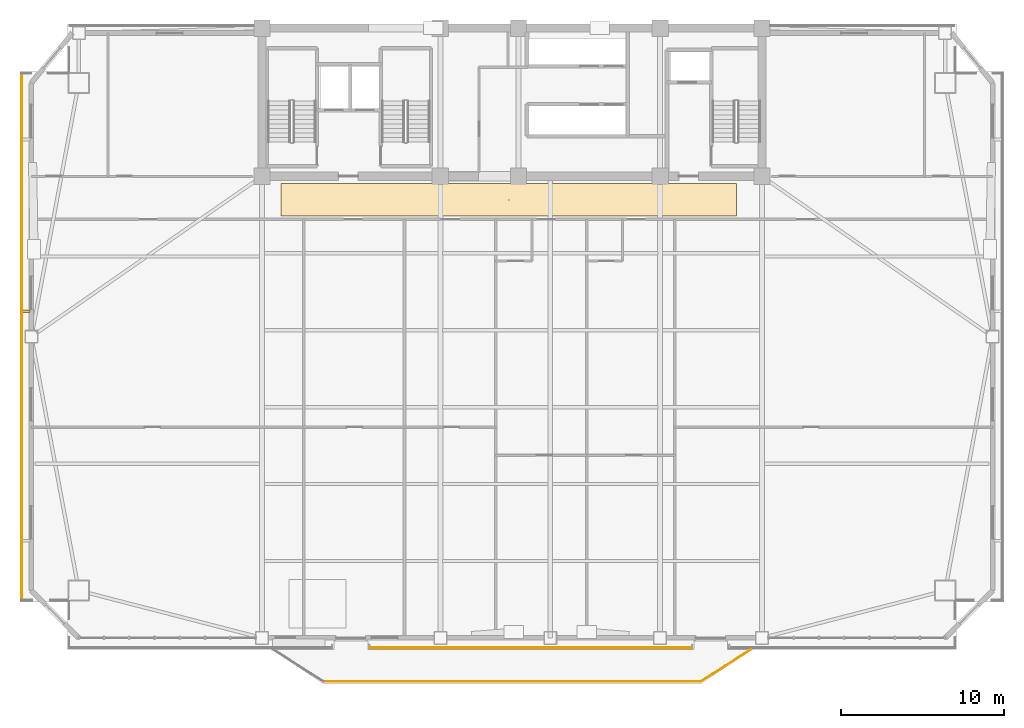
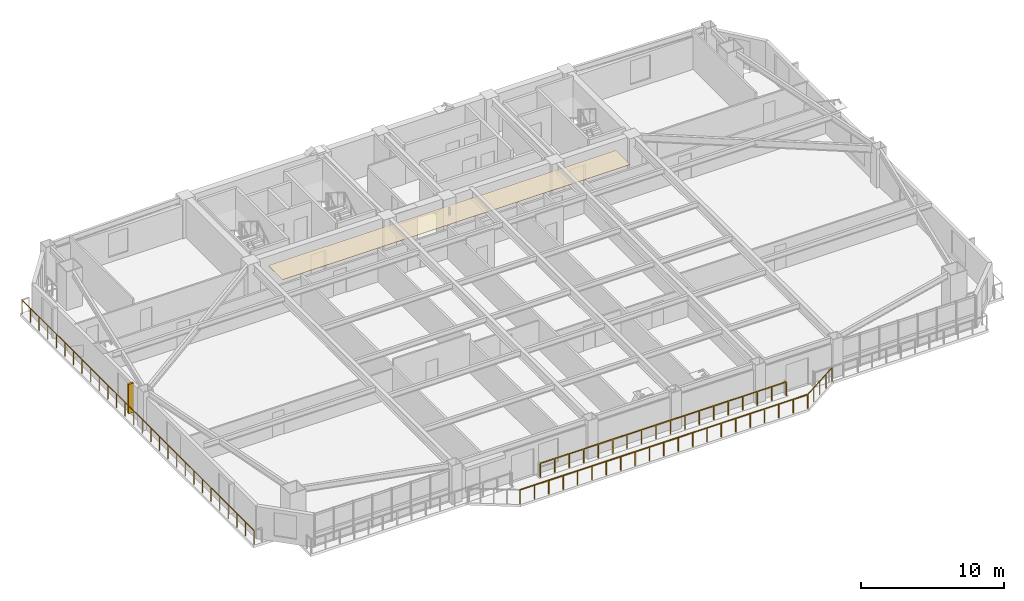
# One storey, part 13 of 16: 4 railings, 1 covering, 1 shading device.
"""IFC4 building model written with IfcOpenShell, lengths in metres."""

import ifcopenshell
import ifcopenshell.guid

model = None  # the IFC model being written
_history = None  # IfcOwnerHistory: only IFC2X3 demands one
_inside = {}  # id of a spatial element -> (the spatial element, [elements in it])
_under = {}  # id of a project, library or spatial element -> (it, [spatial elements below it])
_declared = {}  # id of a project -> (the project, [libraries it declares])
_typed = {}  # id of a type object -> (the type object, [elements of that type])
_made_of = {}  # id of a material, layer set ... -> (it, [elements and type objects made of it])


def new_model(schema):
    """Start an empty IFC model of exactly this schema.

    Asked for "IFC4X3", IfcOpenShell would pick the latest addendum, in which some entities
    have other attributes; the version numbers below select the first issue.
    IFC2X3 requires an IfcOwnerHistory on every rooted entity: one is made here for all.
    """
    global model, _history
    if schema == "IFC4X3":
        model = ifcopenshell.file(schema_version=(4, 3, 0, 0))
    else:
        model = ifcopenshell.file(schema=schema)
    _inside.clear()
    _under.clear()
    _declared.clear()
    _typed.clear()
    _made_of.clear()
    _history = None
    if model.schema == "IFC2X3":
        org = make("IfcOrganization", Name="unknown")
        user = make(
            "IfcPersonAndOrganization",
            ThePerson=make("IfcPerson", FamilyName="unknown"),
            TheOrganization=org,
        )
        app = make(
            "IfcApplication",
            ApplicationDeveloper=org,
            Version="unknown",
            ApplicationFullName="unknown",
            ApplicationIdentifier="unknown",
        )
        _history = make(
            "IfcOwnerHistory",
            OwningUser=user,
            OwningApplication=app,
            ChangeAction="ADDED",
            CreationDate=0,
        )
    return model


def make(cls, **values):
    """One entity of the class cls with the attributes given. An attribute that is None is left unset."""
    return model.create_entity(
        cls, **{name: value for name, value in values.items() if value is not None}
    )


def rooted(cls, **values):
    """An entity with a GlobalId (a new one), such as an element, a storey or a relation."""
    return make(cls, GlobalId=ifcopenshell.guid.new(), OwnerHistory=_history, **values)


def si_unit(unit_type, name, prefix=None):
    """IfcSIUnit, for example si_unit("LENGTHUNIT", "METRE", prefix="MILLI")."""
    return make("IfcSIUnit", UnitType=unit_type, Prefix=prefix, Name=name)


def assignment(units):
    """IfcUnitAssignment: the units of a project."""
    return None if units is None else make("IfcUnitAssignment", Units=units)


def point(xyz):
    """IfcCartesianPoint."""
    return None if xyz is None else make("IfcCartesianPoint", Coordinates=xyz)


def direction(xyz):
    """IfcDirection."""
    return None if xyz is None else make("IfcDirection", DirectionRatios=xyz)


def frame(location, z_axis=None, x_axis=None):
    """IfcAxis2Placement3D, a coordinate frame: its origin and axes. An axis left out is left unset."""
    return make(
        "IfcAxis2Placement3D",
        Location=point(location),
        Axis=direction(z_axis),
        RefDirection=direction(x_axis),
    )


def frame_2d(location, x_axis=None):
    """IfcAxis2Placement2D, a coordinate frame in the plane: its origin and x axis."""
    return make(
        "IfcAxis2Placement2D", Location=point(location), RefDirection=direction(x_axis)
    )


def origin():
    """The frame at (0, 0, 0) with its axes left unset."""
    return frame((0.0, 0.0, 0.0))


def origin_2d():
    """The frame at (0, 0) in the plane with its x axis left unset."""
    return frame_2d((0.0, 0.0))


def place(relative_to, where):
    """IfcLocalPlacement: puts the frame where relative to a parent placement (None: the world)."""
    return make(
        "IfcLocalPlacement", PlacementRelTo=relative_to, RelativePlacement=where
    )


def context(
    kind, dimensions, precision=None, world=None, true_north=None, identifier=None
):
    """IfcGeometricRepresentationContext, for example the 3D "Model" context."""
    return make(
        "IfcGeometricRepresentationContext",
        ContextIdentifier=identifier,
        ContextType=kind,
        CoordinateSpaceDimension=dimensions,
        Precision=precision,
        WorldCoordinateSystem=world,
        TrueNorth=true_north,
    )


def subcontext(parent, identifier, kind, view, scale=None):
    """IfcGeometricRepresentationSubContext, for example "Body" below "Model"."""
    return make(
        "IfcGeometricRepresentationSubContext",
        ContextIdentifier=identifier,
        ContextType=kind,
        ParentContext=parent,
        TargetScale=scale,
        TargetView=view,
    )


def project(units=None, contexts=None):
    """IfcProject with its units and contexts."""
    return rooted(
        "IfcProject",
        Name="project",
        RepresentationContexts=contexts,
        UnitsInContext=assignment(units),
    )


def spatial(cls, under=None, at=None, **own):
    """A site, building, storey or space (cls), placed at a placement, below another one or the project."""
    s = rooted(cls, ObjectPlacement=at, **own)
    if under is not None:
        _under.setdefault(under.id(), (under, []))[1].append(s)
    return s


def polyline(points):
    """IfcPolyline through the points."""
    return make("IfcPolyline", Points=[point(p) for p in points])


def profile(cls, at=None, kind="AREA", **sizes):
    """A parametric profile (cls). Its sizes go by their IFC names, for example OverallWidth=200.0."""
    return make(cls, ProfileType=kind, Position=at, **sizes)


def rectangle(**sizes):
    """IfcRectangleProfileDef."""
    return profile("IfcRectangleProfileDef", **sizes)


def outline(outer, holes=None, kind="AREA"):
    """IfcArbitraryClosedProfileDef: a profile drawn as a closed curve; with holes, ...WithVoids."""
    if holes is None:
        return make("IfcArbitraryClosedProfileDef", ProfileType=kind, OuterCurve=outer)
    return make(
        "IfcArbitraryProfileDefWithVoids",
        ProfileType=kind,
        OuterCurve=outer,
        InnerCurves=holes,
    )


def extrude(swept, where, along, depth):
    """IfcExtrudedAreaSolid: the profile swept, set in the frame where, extruded along a direction by depth."""
    return make(
        "IfcExtrudedAreaSolid",
        SweptArea=swept,
        Position=where,
        ExtrudedDirection=direction(along),
        Depth=depth,
    )


def shape(context_of_items, identifier, shape_type, items):
    """IfcShapeRepresentation: the items that make up one representation, for example the "Body"."""
    return make(
        "IfcShapeRepresentation",
        ContextOfItems=context_of_items,
        RepresentationIdentifier=identifier,
        RepresentationType=shape_type,
        Items=items,
    )


def source(mapping_origin, context_of_items, identifier, shape_type, items):
    """IfcRepresentationMap: a shape defined once, which mapped items show again and again."""
    return make(
        "IfcRepresentationMap",
        MappingOrigin=mapping_origin,
        MappedRepresentation=shape(context_of_items, identifier, shape_type, items),
    )


def transform(
    local_origin,
    x_axis=None,
    y_axis=None,
    z_axis=None,
    scale=None,
    scale2=None,
    scale3=None,
    uniform=True,
):
    """IfcCartesianTransformationOperator3D, or its non-uniform kind. x_axis, y_axis, z_axis: its Axis1, 2, 3."""
    if uniform:
        return make(
            "IfcCartesianTransformationOperator3D",
            Axis1=direction(x_axis),
            Axis2=direction(y_axis),
            LocalOrigin=point(local_origin),
            Scale=scale,
            Axis3=direction(z_axis),
        )
    return make(
        "IfcCartesianTransformationOperator3DnonUniform",
        Axis1=direction(x_axis),
        Axis2=direction(y_axis),
        LocalOrigin=point(local_origin),
        Scale=scale,
        Axis3=direction(z_axis),
        Scale2=scale2,
        Scale3=scale3,
    )


def mapped(mapping_source, mapping_target):
    """IfcMappedItem: shows the shape of a source again, moved by a transform."""
    return make(
        "IfcMappedItem", MappingSource=mapping_source, MappingTarget=mapping_target
    )


def material(Name=None, Category=None):
    """IfcMaterial."""
    return make("IfcMaterial", Name=Name, Category=Category)


def layer(
    of_material, thickness, ventilated=None, Name=None, Category=None, Priority=None
):
    """IfcMaterialLayer: one layer of a wall or slab, of a material (None: an air gap)."""
    return make(
        "IfcMaterialLayer",
        Material=of_material,
        LayerThickness=thickness,
        IsVentilated=ventilated,
        Name=Name,
        Category=Category,
        Priority=Priority,
    )


def layer_set(layers, Name=None):
    """IfcMaterialLayerSet."""
    return make("IfcMaterialLayerSet", MaterialLayers=layers, LayerSetName=Name)


def made_of(thing, what):
    """Note that an element or type object is made of a material, layer set ...; save() writes the relation."""
    if what is not None:
        _made_of.setdefault(what.id(), (what, []))[1].append(thing)
    return thing


def type_object(cls, material=None, **own):
    """A type object (cls), such as IfcWallType, which elements share."""
    return made_of(rooted(cls, **own), material)


def element(
    cls,
    number,
    at=None,
    inside=None,
    cuts=None,
    type_object=None,
    material=None,
    context=None,
    identifier="Body",
    shape_type=None,
    held_by="IfcProductDefinitionShape",
    body=None,
    shapes=None,
    **own,
):
    """One element of the class cls, such as IfcWall. Its Tag is "e" and its number.

    at: its placement. inside: the storey or other place that contains it. cuts: it is an
    opening in that element (IfcRelVoidsElement). A single representation is given by context,
    identifier, shape_type and body (its items); several are given by shapes. held_by: the class
    of the entity that holds the representations. save() writes the other relations.
    """
    e = rooted(cls, Tag="e%d" % number, ObjectPlacement=at, **own)
    if body is not None:
        shapes = [shape(context, identifier, shape_type, body)]
    if shapes is not None:
        e.Representation = make(held_by, Representations=shapes)
    if inside is not None:
        _inside.setdefault(inside.id(), (inside, []))[1].append(e)
    if cuts is not None:
        rooted(
            "IfcRelVoidsElement", RelatingBuildingElement=cuts, RelatedOpeningElement=e
        )
    if type_object is not None:
        _typed.setdefault(type_object.id(), (type_object, []))[1].append(e)
    return made_of(e, material)


def aggregate(whole, parts):
    """IfcRelAggregates: a whole, such as a stair, and the parts it consists of."""
    return rooted("IfcRelAggregates", RelatingObject=whole, RelatedObjects=parts)


def save(model, path):
    """Write the relations noted so far, then the file.

    IfcRelAggregates (storeys below a building ...), IfcRelContainedInSpatialStructure (elements
    in a storey), IfcRelDefinesByType, IfcRelAssociatesMaterial and IfcRelDeclares: one each for
    every whole, place, type object, material and project.
    """
    for whole, parts in _under.values():
        aggregate(whole, parts)
    for where, things in _inside.values():
        rooted(
            "IfcRelContainedInSpatialStructure",
            RelatedElements=things,
            RelatingStructure=where,
        )
    for kind, things in _typed.values():
        rooted("IfcRelDefinesByType", RelatedObjects=things, RelatingType=kind)
    for what, things in _made_of.values():
        rooted("IfcRelAssociatesMaterial", RelatedObjects=things, RelatingMaterial=what)
    for by, libraries in _declared.values():
        rooted("IfcRelDeclares", RelatingContext=by, RelatedDefinitions=libraries)
    model.write(path)


model = new_model("IFC4")

# Units and contexts
model_context = context("Model", 3, precision=1e-05, world=origin(), true_north=direction((0.0, 1.0)))
body_context = subcontext(model_context, "Body", "Model", "MODEL_VIEW")
ifc_project = project(units=[si_unit("LENGTHUNIT", "METRE"), si_unit("AREAUNIT", "SQUARE_METRE"), si_unit("VOLUMEUNIT", "CUBIC_METRE"), si_unit("PLANEANGLEUNIT", "RADIAN"), si_unit("MASSUNIT", "GRAM", prefix="KILO")], contexts=[model_context])

# Site, building, storey
site_placement = place(None, origin())
site = spatial("IfcSite", under=ifc_project, at=site_placement, CompositionType="ELEMENT")
building_placement = place(site_placement, origin())
building = spatial("IfcBuilding", under=site, at=building_placement, Name="Giltprow Tower", CompositionType="ELEMENT")
storey_placement = place(building_placement, frame((0.0, 0.0, 163.199951171875)))
storey = spatial("IfcBuildingStorey", under=building, at=storey_placement, Name="L40", CompositionType="ELEMENT", Elevation=163.199951171875)

# Covering
ifc_material_1 = material(Name="Painted gypsum board", Category="gypsum")
ifc_layer = layer(ifc_material_1, 0.030029296875, Name="Painted gypsum board")
ifc_layer_set = layer_set([ifc_layer], Name="Painted gypsum board")
covering_type = type_object("IfcCoveringType", Name="COV-CLG-GYPSUM", PredefinedType="CEILING", material=ifc_layer_set)
covering_placement = place(storey_placement, frame((0.0, 0.0, 2.6201171875)))
element("IfcCovering", 1, at=covering_placement, inside=storey, type_object=covering_type, Name="L40 Hotel Corridor Gypsum Ceiling", PredefinedType="CEILING", context=body_context, shape_type="SweptSolid", body=[
    extrude(outline(polyline([(21.0, 35.0), (49.0, 35.0), (49.0, 37.0), (21.0, 37.0), (21.0, 35.0)])), origin(), (0.0, 0.0, 1.0), 0.030029296875),
])

# Railings
ifc_material_2 = material(Name="Anodized bronze", Category="metal")
railing_type = type_object("IfcRailingType", Name="RAIL-BALC-GUARD-1200", PredefinedType="BALUSTRADE", material=ifc_material_2)
railing_1_placement = place(storey_placement, frame((23.6201171875, 6.41796875, 0.0)))
element("IfcRailing", 2, at=railing_1_placement, inside=storey, type_object=railing_type, Name="L40 Waterfront Balcony Balustrade Seg 2", PredefinedType="BALUSTRADE", context=body_context, shape_type="SweptSolid", body=[
    extrude(rectangle(XDim=0.048095703125, YDim=0.048095703125, at=origin_2d()), frame((0.0, 0.0, 1.17578125), z_axis=(1.0, 0.0, 0.0), x_axis=(0.0, 1.0, 0.0)), (0.0, 0.0, 1.0), 23.159912109375),
    extrude(rectangle(XDim=0.0419921875, YDim=0.0419921875, at=origin_2d()), origin(), (0.0, 0.0, 1.0), 1.15185546875),
    extrude(rectangle(XDim=0.0419921875, YDim=0.0419921875, at=origin_2d()), frame((1.157958984375, 0.0, 0.0)), (0.0, 0.0, 1.0), 1.15185546875),
    extrude(rectangle(XDim=0.0419921875, YDim=0.0419921875, at=origin_2d()), frame((2.31591796875, 0.0, 0.0)), (0.0, 0.0, 1.0), 1.15185546875),
    extrude(rectangle(XDim=0.0419921875, YDim=0.0419921875, at=origin_2d()), frame((3.473876953125, 0.0, 0.0)), (0.0, 0.0, 1.0), 1.15185546875),
    extrude(rectangle(XDim=0.0419921875, YDim=0.0419921875, at=origin_2d()), frame((4.632080078125, 0.0, 0.0)), (0.0, 0.0, 1.0), 1.15185546875),
    extrude(rectangle(XDim=0.0419921875, YDim=0.0419921875, at=origin_2d()), frame((5.7900390625, 0.0, 0.0)), (0.0, 0.0, 1.0), 1.15185546875),
    extrude(rectangle(XDim=0.0419921875, YDim=0.0419921875, at=origin_2d()), frame((6.947998046875, 0.0, 0.0)), (0.0, 0.0, 1.0), 1.15185546875),
    extrude(rectangle(XDim=0.0419921875, YDim=0.0419921875, at=origin_2d()), frame((8.10595703125, 0.0, 0.0)), (0.0, 0.0, 1.0), 1.15185546875),
    extrude(rectangle(XDim=0.0419921875, YDim=0.0419921875, at=origin_2d()), frame((9.263916015625, 0.0, 0.0)), (0.0, 0.0, 1.0), 1.15185546875),
    extrude(rectangle(XDim=0.0419921875, YDim=0.0419921875, at=origin_2d()), frame((10.421875, 0.0, 0.0)), (0.0, 0.0, 1.0), 1.15185546875),
    extrude(rectangle(XDim=0.0419921875, YDim=0.0419921875, at=origin_2d()), frame((11.580078125, 0.0, 0.0)), (0.0, 0.0, 1.0), 1.15185546875),
    extrude(rectangle(XDim=0.0419921875, YDim=0.0419921875, at=origin_2d()), frame((12.738037109375, 0.0, 0.0)), (0.0, 0.0, 1.0), 1.15185546875),
    extrude(rectangle(XDim=0.0419921875, YDim=0.0419921875, at=origin_2d()), frame((13.89599609375, 0.0, 0.0)), (0.0, 0.0, 1.0), 1.15185546875),
    extrude(rectangle(XDim=0.0419921875, YDim=0.0419921875, at=origin_2d()), frame((15.053955078125, 0.0, 0.0)), (0.0, 0.0, 1.0), 1.15185546875),
    extrude(rectangle(XDim=0.0419921875, YDim=0.0419921875, at=origin_2d()), frame((16.2119140625, 0.0, 0.0)), (0.0, 0.0, 1.0), 1.15185546875),
    extrude(rectangle(XDim=0.0419921875, YDim=0.0419921875, at=origin_2d()), frame((17.369873046875, 0.0, 0.0)), (0.0, 0.0, 1.0), 1.15185546875),
    extrude(rectangle(XDim=0.0419921875, YDim=0.0419921875, at=origin_2d()), frame((18.52783203125, 0.0, 0.0)), (0.0, 0.0, 1.0), 1.15185546875),
    extrude(rectangle(XDim=0.0419921875, YDim=0.0419921875, at=origin_2d()), frame((19.68603515625, 0.0, 0.0)), (0.0, 0.0, 1.0), 1.15185546875),
    extrude(rectangle(XDim=0.0419921875, YDim=0.0419921875, at=origin_2d()), frame((20.843994140625, 0.0, 0.0)), (0.0, 0.0, 1.0), 1.15185546875),
    extrude(rectangle(XDim=0.0419921875, YDim=0.0419921875, at=origin_2d()), frame((22.001953125, 0.0, 0.0)), (0.0, 0.0, 1.0), 1.15185546875),
    extrude(rectangle(XDim=0.0419921875, YDim=0.0419921875, at=origin_2d()), frame((23.159912109375, 0.0, 0.0)), (0.0, 0.0, 1.0), 1.15185546875),
])
railing_2_placement = place(storey_placement, frame((46.780029296875, 6.41796875, 0.0)))
element("IfcRailing", 3, at=railing_2_placement, inside=storey, type_object=railing_type, Name="L40 Waterfront Balcony Balustrade Seg 3", PredefinedType="BALUSTRADE", context=body_context, shape_type="SweptSolid", body=[
    extrude(rectangle(XDim=0.048095703125, YDim=0.048095703125, at=origin_2d()), frame((0.0, 0.0, 1.17578125), z_axis=(0.842755646126, 0.538296313309, 0.0), x_axis=(-0.538296313309, 0.842755646126, 0.0)), (0.0, 0.0, 1.0), 3.67822265625),
    extrude(rectangle(XDim=0.0419921875, YDim=0.0419921875, at=origin_2d()), origin(), (0.0, 0.0, 1.0), 1.15185546875),
    extrude(rectangle(XDim=0.0419921875, YDim=0.0419921875, at=origin_2d()), frame((0.77490234375, 0.4951171875, 0.0)), (0.0, 0.0, 1.0), 1.15185546875),
    extrude(rectangle(XDim=0.0419921875, YDim=0.0419921875, at=origin_2d()), frame((1.5498046875, 0.989990234375, 0.0)), (0.0, 0.0, 1.0), 1.15185546875),
    extrude(rectangle(XDim=0.0419921875, YDim=0.0419921875, at=origin_2d()), frame((2.324951171875, 1.48486328125, 0.0)), (0.0, 0.0, 1.0), 1.15185546875),
    extrude(rectangle(XDim=0.0419921875, YDim=0.0419921875, at=origin_2d()), frame((3.099853515625, 1.97998046875, 0.0)), (0.0, 0.0, 1.0), 1.15185546875),
])
railing_3_placement = place(storey_placement, frame((5.083984375, 11.410888671875, 0.0)))
element("IfcRailing", 4, at=railing_3_placement, inside=storey, type_object=railing_type, Name="L40 Corner Apron Edge Balustrade 5", PredefinedType="BALUSTRADE", context=body_context, shape_type="SweptSolid", body=[
    extrude(rectangle(XDim=0.048095703125, YDim=0.048095703125, at=origin_2d()), frame((0.0, 0.0, 1.17578125), z_axis=(0.0, 1.0, 0.0), x_axis=(-1.0, 0.0, 0.0)), (0.0, 0.0, 1.0), 32.376220703125),
    extrude(rectangle(XDim=0.0419921875, YDim=0.0419921875, at=origin_2d()), origin(), (0.0, 0.0, 1.0), 1.15185546875),
    extrude(rectangle(XDim=0.0419921875, YDim=0.0419921875, at=origin_2d()), frame((0.0, 1.19921875, 0.0)), (0.0, 0.0, 1.0), 1.15185546875),
    extrude(rectangle(XDim=0.0419921875, YDim=0.0419921875, at=origin_2d()), frame((0.0, 2.398193359375, 0.0)), (0.0, 0.0, 1.0), 1.15185546875),
    extrude(rectangle(XDim=0.0419921875, YDim=0.0419921875, at=origin_2d()), frame((0.0, 3.597412109375, 0.0)), (0.0, 0.0, 1.0), 1.15185546875),
    extrude(rectangle(XDim=0.0419921875, YDim=0.0419921875, at=origin_2d()), frame((0.0, 4.79638671875, 0.0)), (0.0, 0.0, 1.0), 1.15185546875),
    extrude(rectangle(XDim=0.0419921875, YDim=0.0419921875, at=origin_2d()), frame((0.0, 5.99560546875, 0.0)), (0.0, 0.0, 1.0), 1.15185546875),
    extrude(rectangle(XDim=0.0419921875, YDim=0.0419921875, at=origin_2d()), frame((0.0, 7.19482421875, 0.0)), (0.0, 0.0, 1.0), 1.15185546875),
    extrude(rectangle(XDim=0.0419921875, YDim=0.0419921875, at=origin_2d()), frame((0.0, 8.393798828125, 0.0)), (0.0, 0.0, 1.0), 1.15185546875),
    extrude(rectangle(XDim=0.0419921875, YDim=0.0419921875, at=origin_2d()), frame((0.0, 9.593017578125, 0.0)), (0.0, 0.0, 1.0), 1.15185546875),
    extrude(rectangle(XDim=0.0419921875, YDim=0.0419921875, at=origin_2d()), frame((0.0, 10.7919921875, 0.0)), (0.0, 0.0, 1.0), 1.15185546875),
    extrude(rectangle(XDim=0.0419921875, YDim=0.0419921875, at=origin_2d()), frame((0.0, 11.9912109375, 0.0)), (0.0, 0.0, 1.0), 1.15185546875),
    extrude(rectangle(XDim=0.0419921875, YDim=0.0419921875, at=origin_2d()), frame((0.0, 13.1904296875, 0.0)), (0.0, 0.0, 1.0), 1.15185546875),
    extrude(rectangle(XDim=0.0419921875, YDim=0.0419921875, at=origin_2d()), frame((0.0, 14.389404296875, 0.0)), (0.0, 0.0, 1.0), 1.15185546875),
    extrude(rectangle(XDim=0.0419921875, YDim=0.0419921875, at=origin_2d()), frame((0.0, 15.588623046875, 0.0)), (0.0, 0.0, 1.0), 1.15185546875),
    extrude(rectangle(XDim=0.0419921875, YDim=0.0419921875, at=origin_2d()), frame((0.0, 16.78759765625, 0.0)), (0.0, 0.0, 1.0), 1.15185546875),
    extrude(rectangle(XDim=0.0419921875, YDim=0.0419921875, at=origin_2d()), frame((0.0, 17.98681640625, 0.0)), (0.0, 0.0, 1.0), 1.15185546875),
    extrude(rectangle(XDim=0.0419921875, YDim=0.0419921875, at=origin_2d()), frame((0.0, 19.185791015625, 0.0)), (0.0, 0.0, 1.0), 1.15185546875),
    extrude(rectangle(XDim=0.0419921875, YDim=0.0419921875, at=origin_2d()), frame((0.0, 20.385009765625, 0.0)), (0.0, 0.0, 1.0), 1.15185546875),
    extrude(rectangle(XDim=0.0419921875, YDim=0.0419921875, at=origin_2d()), frame((0.0, 21.584228515625, 0.0)), (0.0, 0.0, 1.0), 1.15185546875),
    extrude(rectangle(XDim=0.0419921875, YDim=0.0419921875, at=origin_2d()), frame((0.0, 22.783203125, 0.0)), (0.0, 0.0, 1.0), 1.15185546875),
    extrude(rectangle(XDim=0.0419921875, YDim=0.0419921875, at=origin_2d()), frame((0.0, 23.982421875, 0.0)), (0.0, 0.0, 1.0), 1.15185546875),
    extrude(rectangle(XDim=0.0419921875, YDim=0.0419921875, at=origin_2d()), frame((0.0, 25.181396484375, 0.0)), (0.0, 0.0, 1.0), 1.15185546875),
    extrude(rectangle(XDim=0.0419921875, YDim=0.0419921875, at=origin_2d()), frame((0.0, 26.380615234375, 0.0)), (0.0, 0.0, 1.0), 1.15185546875),
    extrude(rectangle(XDim=0.0419921875, YDim=0.0419921875, at=origin_2d()), frame((0.0, 27.579833984375, 0.0)), (0.0, 0.0, 1.0), 1.15185546875),
    extrude(rectangle(XDim=0.0419921875, YDim=0.0419921875, at=origin_2d()), frame((0.0, 28.77880859375, 0.0)), (0.0, 0.0, 1.0), 1.15185546875),
    extrude(rectangle(XDim=0.0419921875, YDim=0.0419921875, at=origin_2d()), frame((0.0, 29.97802734375, 0.0)), (0.0, 0.0, 1.0), 1.15185546875),
    extrude(rectangle(XDim=0.0419921875, YDim=0.0419921875, at=origin_2d()), frame((0.0, 31.177001953125, 0.0)), (0.0, 0.0, 1.0), 1.15185546875),
    extrude(rectangle(XDim=0.0419921875, YDim=0.0419921875, at=origin_2d()), frame((0.0, 32.376220703125, 0.0)), (0.0, 0.0, 1.0), 1.15185546875),
])
railing_4_placement = place(storey_placement, frame((46.25, 8.498046875, 0.0)))
element("IfcRailing", 5, at=railing_4_placement, inside=storey, type_object=railing_type, Name="L40 Corner Apron Edge Balustrade 22", PredefinedType="BALUSTRADE", context=body_context, shape_type="SweptSolid", body=[
    extrude(rectangle(XDim=0.048095703125, YDim=0.048095703125, at=origin_2d()), frame((0.0, 0.0, 1.17578125), z_axis=(-1.0, 0.0, 0.0), x_axis=(0.0, -1.0, 0.0)), (0.0, 0.0, 1.0), 19.800048828125),
    extrude(rectangle(XDim=0.0419921875, YDim=0.0419921875, at=origin_2d()), origin(), (0.0, 0.0, 1.0), 1.15185546875),
    extrude(rectangle(XDim=0.0419921875, YDim=0.0419921875, at=origin_2d()), frame((-1.164794921875, 0.0, 0.0)), (0.0, 0.0, 1.0), 1.15185546875),
    extrude(rectangle(XDim=0.0419921875, YDim=0.0419921875, at=origin_2d()), frame((-2.329345703125, 0.0, 0.0)), (0.0, 0.0, 1.0), 1.15185546875),
    extrude(rectangle(XDim=0.0419921875, YDim=0.0419921875, at=origin_2d()), frame((-3.494140625, 0.0, 0.0)), (0.0, 0.0, 1.0), 1.15185546875),
    extrude(rectangle(XDim=0.0419921875, YDim=0.0419921875, at=origin_2d()), frame((-4.658935546875, 0.0, 0.0)), (0.0, 0.0, 1.0), 1.15185546875),
    extrude(rectangle(XDim=0.0419921875, YDim=0.0419921875, at=origin_2d()), frame((-5.823486328125, 0.0, 0.0)), (0.0, 0.0, 1.0), 1.15185546875),
    extrude(rectangle(XDim=0.0419921875, YDim=0.0419921875, at=origin_2d()), frame((-6.98828125, 0.0, 0.0)), (0.0, 0.0, 1.0), 1.15185546875),
    extrude(rectangle(XDim=0.0419921875, YDim=0.0419921875, at=origin_2d()), frame((-8.153076171875, 0.0, 0.0)), (0.0, 0.0, 1.0), 1.15185546875),
    extrude(rectangle(XDim=0.0419921875, YDim=0.0419921875, at=origin_2d()), frame((-9.317626953125, 0.0, 0.0)), (0.0, 0.0, 1.0), 1.15185546875),
    extrude(rectangle(XDim=0.0419921875, YDim=0.0419921875, at=origin_2d()), frame((-10.482421875, 0.0, 0.0)), (0.0, 0.0, 1.0), 1.15185546875),
    extrude(rectangle(XDim=0.0419921875, YDim=0.0419921875, at=origin_2d()), frame((-11.64697265625, 0.0, 0.0)), (0.0, 0.0, 1.0), 1.15185546875),
    extrude(rectangle(XDim=0.0419921875, YDim=0.0419921875, at=origin_2d()), frame((-12.811767578125, 0.0, 0.0)), (0.0, 0.0, 1.0), 1.15185546875),
    extrude(rectangle(XDim=0.0419921875, YDim=0.0419921875, at=origin_2d()), frame((-13.9765625, 0.0, 0.0)), (0.0, 0.0, 1.0), 1.15185546875),
    extrude(rectangle(XDim=0.0419921875, YDim=0.0419921875, at=origin_2d()), frame((-15.14111328125, 0.0, 0.0)), (0.0, 0.0, 1.0), 1.15185546875),
    extrude(rectangle(XDim=0.0419921875, YDim=0.0419921875, at=origin_2d()), frame((-16.305908203125, 0.0, 0.0)), (0.0, 0.0, 1.0), 1.15185546875),
    extrude(rectangle(XDim=0.0419921875, YDim=0.0419921875, at=origin_2d()), frame((-17.470703125, 0.0, 0.0)), (0.0, 0.0, 1.0), 1.15185546875),
    extrude(rectangle(XDim=0.0419921875, YDim=0.0419921875, at=origin_2d()), frame((-18.63525390625, 0.0, 0.0)), (0.0, 0.0, 1.0), 1.15185546875),
    extrude(rectangle(XDim=0.0419921875, YDim=0.0419921875, at=origin_2d()), frame((-19.800048828125, 0.0, 0.0)), (0.0, 0.0, 1.0), 1.15185546875),
])

# Shading device
shading_device_type = type_object("IfcShadingDeviceType", Name="SHD-FIN-420", PredefinedType="USERDEFINED", material=ifc_material_2)
shared_shape = source(origin(), body_context, "Body", "SweptSolid", [
    extrude(rectangle(XDim=0.419921875, YDim=0.159912109375, at=origin_2d()), origin(), (0.0, 0.0, 1.0), 2.5),
])
shading_device_placement = place(storey_placement, frame((5.384033203125, 29.1650390625, 0.35009765625), z_axis=(0.0, 0.0, 1.0), x_axis=(1.0, 0.0, 0.0)))
element("IfcShadingDevice", 6, at=shading_device_placement, inside=storey, type_object=shading_device_type, Name="L40 W Bronze Vertical Fin 2-1", ObjectType="FIN", PredefinedType="USERDEFINED", context=body_context, shape_type="MappedRepresentation", body=[
    mapped(shared_shape, transform((0.0, 0.0, 0.0), x_axis=(1.0, 0.0, 0.0), y_axis=(0.0, 1.0, 0.0), z_axis=(0.0, 0.0, 1.0), scale=1.0)),
])

save(model, "model.ifc")
